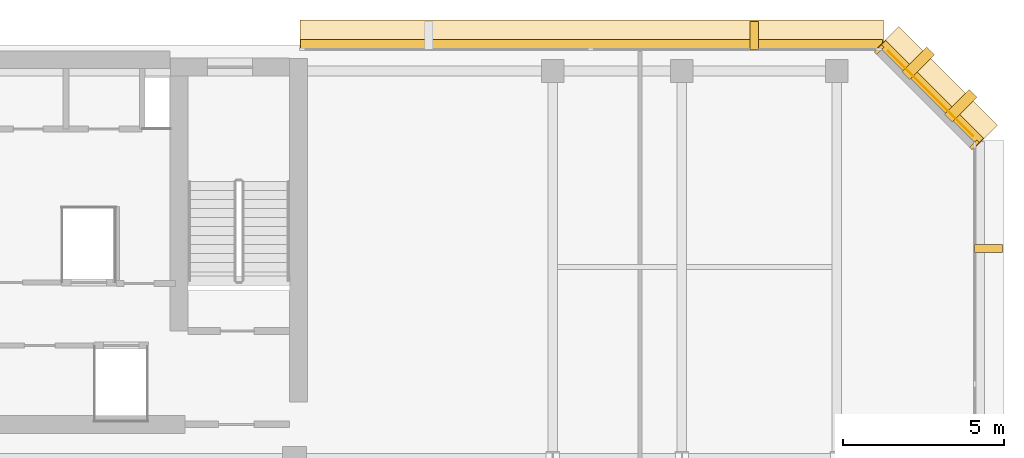
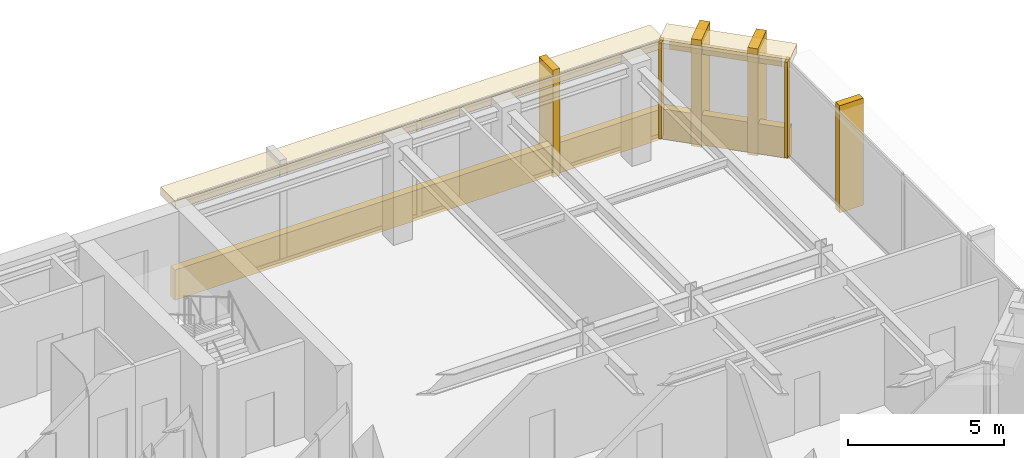
# One storey, part 11 of 11: 11 coverings.
"""IFC4 building model written with IfcOpenShell, lengths in metres."""

from ifc_helpers import new_model, si_unit, direction, frame, origin, origin_2d, place, context, subcontext, project, spatial, rectangle, extrude, material, layer, layer_set, type_object, element, save


model = new_model("IFC4")

# Units and contexts
model_context = context("Model", 3, precision=1e-05, world=origin(), true_north=direction((0.0, 1.0)))
body_context = subcontext(model_context, "Body", "Model", "MODEL_VIEW")
ifc_project = project(units=[si_unit("LENGTHUNIT", "METRE"), si_unit("AREAUNIT", "SQUARE_METRE"), si_unit("VOLUMEUNIT", "CUBIC_METRE"), si_unit("PLANEANGLEUNIT", "RADIAN"), si_unit("MASSUNIT", "GRAM", prefix="KILO")], contexts=[model_context])

# Site, building, storey
site_placement = place(None, origin())
site = spatial("IfcSite", under=ifc_project, at=site_placement, CompositionType="ELEMENT")
building_placement = place(site_placement, origin())
building = spatial("IfcBuilding", under=site, at=building_placement, Name="Kefirva Bronze Tower", CompositionType="ELEMENT")
storey_placement = place(building_placement, frame((0.0, 0.0, 288.090087890625)))
storey = spatial("IfcBuildingStorey", under=building, at=storey_placement, Name="L70", CompositionType="ELEMENT", Elevation=288.090087890625)

# Coverings
ifc_material = material(Name="Bronze anodised aluminium", Category="aluminium")
ifc_layer_1 = layer(ifc_material, 0.02001953125, Name="Bronze anodised aluminium")
ifc_layer_set_1 = layer_set([ifc_layer_1], Name="Bronze anodised aluminium")
covering_type_1 = type_object("IfcCoveringType", Name="Anodised Bronze Spandrel Cladding 20mm", PredefinedType="CLADDING", material=ifc_layer_set_1)
covering_1_placement = place(storey_placement, frame((42.906982421875, 44.507080078125, 3.320068359375), z_axis=(0.0, 0.0, 1.0), x_axis=(-0.707106781187, 0.707106781187, 0.0)))
element("IfcCovering", 1, at=covering_1_placement, inside=storey, type_object=covering_type_1, Name="L70 Bronze Spandrel Cladding 5", PredefinedType="CLADDING", context=body_context, shape_type="SweptSolid", body=[
    extrude(rectangle(XDim=3.719482421875, YDim=0.02001953125, at=origin_2d()), origin(), (0.0, 0.0, 1.0), 0.39990234375),
])
for number, where, z_axis, x_axis, name in (
    (2, (44.26220703125, 42.91162109375, 0.0), (0.0, 0.0, 1.0), (-0.707106781187, 0.707106781187, 0.0), "L70 Facade Joint Closure Panel 5S"),
    (3, (41.311767578125, 45.862060546875, 0.0), (0.0, 0.0, 1.0), (-0.707106781187, 0.707106781187, 0.0), "L70 Facade Joint Closure Panel 5E"),
):
    element("IfcCovering", number, at=place(storey_placement, frame(where, z_axis=z_axis, x_axis=x_axis)), inside=storey, type_object=covering_type_1, Name=name, PredefinedType="CLADDING", context=body_context, shape_type="SweptSolid", body=[
        extrude(rectangle(XDim=0.10009765625, YDim=0.320068359375, at=origin_2d()), origin(), (0.0, 0.0, 1.0), 3.739990234375),
    ])
covering_2_placement = place(storey_placement, frame((42.92822265625, 44.5283203125, -0.16015625), z_axis=(0.0, 0.0, 1.0), x_axis=(-0.707106781187, 0.707106781187, 0.0)))
element("IfcCovering", 4, at=covering_2_placement, inside=storey, type_object=covering_type_1, Name="L70 Streamline Horizontal Spandrel Band 7", PredefinedType="CLADDING", context=body_context, shape_type="SweptSolid", body=[
    extrude(rectangle(XDim=4.28271484375, YDim=0.280029296875, at=origin_2d()), origin(), (0.0, 0.0, 1.0), 1.179931640625),
])
covering_3_placement = place(storey_placement, frame((32.402587890625, 46.0400390625, -0.16015625), z_axis=(0.0, 0.0, 1.0), x_axis=(-1.0, 0.0, 0.0)))
element("IfcCovering", 5, at=covering_3_placement, inside=storey, type_object=covering_type_1, Name="L70 Streamline Horizontal Spandrel Band 8", PredefinedType="CLADDING", context=body_context, shape_type="SweptSolid", body=[
    extrude(rectangle(XDim=18.034912109375, YDim=0.280029296875, at=origin_2d()), origin(), (0.0, 0.0, 1.0), 1.179931640625),
])
ifc_layer_2 = layer(ifc_material, 0.179931640625, Name="Bronze anodised aluminium")
ifc_layer_set_2 = layer_set([ifc_layer_2], Name="Bronze anodised aluminium")
covering_type_2 = type_object("IfcCoveringType", Name="Streamline Bronze Sunshade Eyebrow Cladding 180mm", PredefinedType="CLADDING", material=ifc_layer_set_2)
covering_4_placement = place(storey_placement, frame((43.119140625, 44.71923828125, 3.419921875), z_axis=(0.0, 0.0, 1.0), x_axis=(-0.707106781187, 0.707106781187, 0.0)))
element("IfcCovering", 6, at=covering_4_placement, inside=storey, type_object=covering_type_2, Name="L70 Streamline Bronze Sunshade Eyebrow 7", PredefinedType="CLADDING", context=body_context, shape_type="SweptSolid", body=[
    extrude(rectangle(XDim=4.322509765625, YDim=0.93994140625, at=origin_2d()), origin(), (0.0, 0.0, 1.0), 0.320068359375),
])
covering_5_placement = place(storey_placement, frame((32.402587890625, 46.31005859375, 3.419921875), z_axis=(0.0, 0.0, 1.0), x_axis=(-1.0, 0.0, 0.0)))
element("IfcCovering", 7, at=covering_5_placement, inside=storey, type_object=covering_type_2, Name="L70 Streamline Bronze Sunshade Eyebrow 8", PredefinedType="CLADDING", context=body_context, shape_type="SweptSolid", body=[
    extrude(rectangle(XDim=18.074951171875, YDim=0.93994140625, at=origin_2d()), origin(), (0.0, 0.0, 1.0), 0.320068359375),
])
ifc_layer_3 = layer(ifc_material, 0.260009765625, Name="Bronze anodised aluminium")
ifc_layer_set_3 = layer_set([ifc_layer_3], Name="Bronze anodised aluminium")
covering_type_3 = type_object("IfcCoveringType", Name="Unbroken Bronze Buttress Fin Cladding 260mm", PredefinedType="CLADDING", material=ifc_layer_set_3)
covering_6_placement = place(storey_placement, frame((44.699951171875, 39.699951171875, -0.22021484375), z_axis=(0.0, 0.0, 1.0), x_axis=(0.0, 1.0, 0.0)))
element("IfcCovering", 8, at=covering_6_placement, inside=storey, type_object=covering_type_3, Name="L70 Unbroken Vertical Bronze Rib Fin 14", PredefinedType="CLADDING", context=body_context, shape_type="SweptSolid", body=[
    extrude(rectangle(XDim=0.260009765625, YDim=0.8798828125, at=origin_2d()), origin(), (0.0, 0.0, 1.0), 4.179931640625),
])
for number, where, z_axis, x_axis, name in (
    (9, (43.8427734375, 44.122802734375, -0.22021484375), (0.0, 0.0, 1.0), (-0.707106781187, 0.707106781187, 0.0), "L70 Chamfered Corner Buttress Fin Cladding 15"),
    (10, (42.522705078125, 45.44287109375, -0.22021484375), (0.0, 0.0, 1.0), (-0.707106781187, 0.707106781187, 0.0), "L70 Chamfered Corner Buttress Fin Cladding 16"),
):
    element("IfcCovering", number, at=place(storey_placement, frame(where, z_axis=z_axis, x_axis=x_axis)), inside=storey, type_object=covering_type_3, Name=name, PredefinedType="CLADDING", context=body_context, shape_type="SweptSolid", body=[
        extrude(rectangle(XDim=0.340087890625, YDim=1.080078125, at=origin_2d()), origin(), (0.0, 0.0, 1.0), 4.179931640625),
    ])
covering_7_placement = place(storey_placement, frame((37.441162109375, 46.300048828125, -0.22021484375), z_axis=(0.0, 0.0, 1.0), x_axis=(-1.0, 0.0, 0.0)))
element("IfcCovering", 11, at=covering_7_placement, inside=storey, type_object=covering_type_3, Name="L70 Unbroken Vertical Bronze Rib Fin 17", PredefinedType="CLADDING", context=body_context, shape_type="SweptSolid", body=[
    extrude(rectangle(XDim=0.260009765625, YDim=0.8798828125, at=origin_2d()), origin(), (0.0, 0.0, 1.0), 4.179931640625),
])

save(model, "model.ifc")
